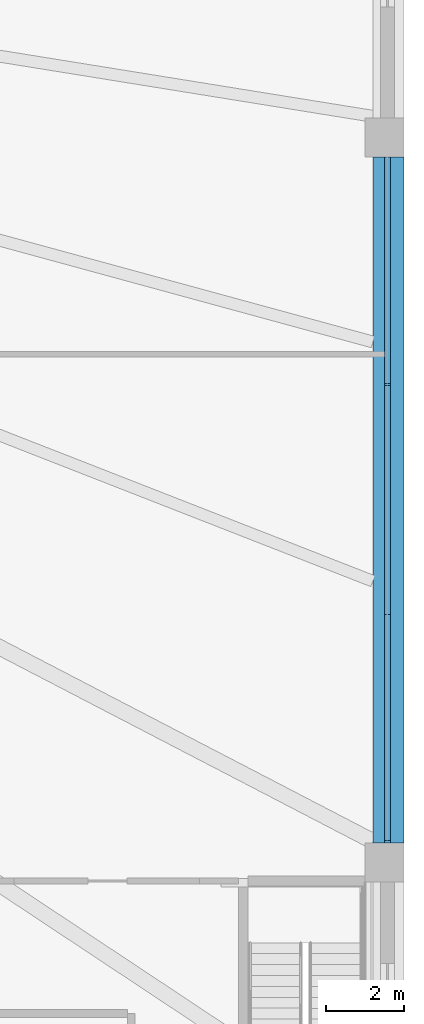
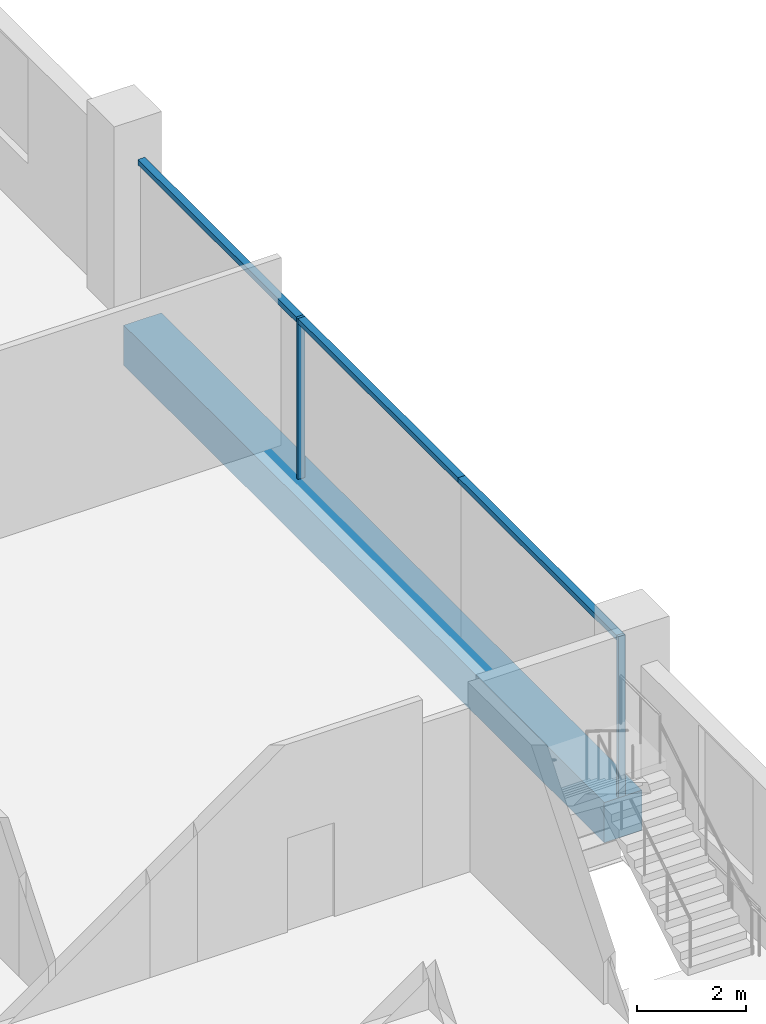
# One storey, part 8 of 29: 5 members, 1 beam, 1 element without a shape of its own.
"""IFC4 building model written with IfcOpenShell, lengths in metres."""

import ifcopenshell
import ifcopenshell.guid

model = None  # the IFC model being written
_history = None  # IfcOwnerHistory: only IFC2X3 demands one
_inside = {}  # id of a spatial element -> (the spatial element, [elements in it])
_under = {}  # id of a project, library or spatial element -> (it, [spatial elements below it])
_declared = {}  # id of a project -> (the project, [libraries it declares])
_typed = {}  # id of a type object -> (the type object, [elements of that type])
_made_of = {}  # id of a material, layer set ... -> (it, [elements and type objects made of it])


def new_model(schema):
    """Start an empty IFC model of exactly this schema.

    Asked for "IFC4X3", IfcOpenShell would pick the latest addendum, in which some entities
    have other attributes; the version numbers below select the first issue.
    IFC2X3 requires an IfcOwnerHistory on every rooted entity: one is made here for all.
    """
    global model, _history
    if schema == "IFC4X3":
        model = ifcopenshell.file(schema_version=(4, 3, 0, 0))
    else:
        model = ifcopenshell.file(schema=schema)
    _inside.clear()
    _under.clear()
    _declared.clear()
    _typed.clear()
    _made_of.clear()
    _history = None
    if model.schema == "IFC2X3":
        org = make("IfcOrganization", Name="unknown")
        user = make(
            "IfcPersonAndOrganization",
            ThePerson=make("IfcPerson", FamilyName="unknown"),
            TheOrganization=org,
        )
        app = make(
            "IfcApplication",
            ApplicationDeveloper=org,
            Version="unknown",
            ApplicationFullName="unknown",
            ApplicationIdentifier="unknown",
        )
        _history = make(
            "IfcOwnerHistory",
            OwningUser=user,
            OwningApplication=app,
            ChangeAction="ADDED",
            CreationDate=0,
        )
    return model


def make(cls, **values):
    """One entity of the class cls with the attributes given. An attribute that is None is left unset."""
    return model.create_entity(
        cls, **{name: value for name, value in values.items() if value is not None}
    )


def rooted(cls, **values):
    """An entity with a GlobalId (a new one), such as an element, a storey or a relation."""
    return make(cls, GlobalId=ifcopenshell.guid.new(), OwnerHistory=_history, **values)


def si_unit(unit_type, name, prefix=None):
    """IfcSIUnit, for example si_unit("LENGTHUNIT", "METRE", prefix="MILLI")."""
    return make("IfcSIUnit", UnitType=unit_type, Prefix=prefix, Name=name)


def assignment(units):
    """IfcUnitAssignment: the units of a project."""
    return None if units is None else make("IfcUnitAssignment", Units=units)


def point(xyz):
    """IfcCartesianPoint."""
    return None if xyz is None else make("IfcCartesianPoint", Coordinates=xyz)


def direction(xyz):
    """IfcDirection."""
    return None if xyz is None else make("IfcDirection", DirectionRatios=xyz)


def frame(location, z_axis=None, x_axis=None):
    """IfcAxis2Placement3D, a coordinate frame: its origin and axes. An axis left out is left unset."""
    return make(
        "IfcAxis2Placement3D",
        Location=point(location),
        Axis=direction(z_axis),
        RefDirection=direction(x_axis),
    )


def frame_2d(location, x_axis=None):
    """IfcAxis2Placement2D, a coordinate frame in the plane: its origin and x axis."""
    return make(
        "IfcAxis2Placement2D", Location=point(location), RefDirection=direction(x_axis)
    )


def origin():
    """The frame at (0, 0, 0) with its axes left unset."""
    return frame((0.0, 0.0, 0.0))


def origin_2d():
    """The frame at (0, 0) in the plane with its x axis left unset."""
    return frame_2d((0.0, 0.0))


def place(relative_to, where):
    """IfcLocalPlacement: puts the frame where relative to a parent placement (None: the world)."""
    return make(
        "IfcLocalPlacement", PlacementRelTo=relative_to, RelativePlacement=where
    )


def context(
    kind, dimensions, precision=None, world=None, true_north=None, identifier=None
):
    """IfcGeometricRepresentationContext, for example the 3D "Model" context."""
    return make(
        "IfcGeometricRepresentationContext",
        ContextIdentifier=identifier,
        ContextType=kind,
        CoordinateSpaceDimension=dimensions,
        Precision=precision,
        WorldCoordinateSystem=world,
        TrueNorth=true_north,
    )


def subcontext(parent, identifier, kind, view, scale=None):
    """IfcGeometricRepresentationSubContext, for example "Body" below "Model"."""
    return make(
        "IfcGeometricRepresentationSubContext",
        ContextIdentifier=identifier,
        ContextType=kind,
        ParentContext=parent,
        TargetScale=scale,
        TargetView=view,
    )


def project(units=None, contexts=None):
    """IfcProject with its units and contexts."""
    return rooted(
        "IfcProject",
        Name="project",
        RepresentationContexts=contexts,
        UnitsInContext=assignment(units),
    )


def spatial(cls, under=None, at=None, **own):
    """A site, building, storey or space (cls), placed at a placement, below another one or the project."""
    s = rooted(cls, ObjectPlacement=at, **own)
    if under is not None:
        _under.setdefault(under.id(), (under, []))[1].append(s)
    return s


def profile(cls, at=None, kind="AREA", **sizes):
    """A parametric profile (cls). Its sizes go by their IFC names, for example OverallWidth=200.0."""
    return make(cls, ProfileType=kind, Position=at, **sizes)


def rectangle(**sizes):
    """IfcRectangleProfileDef."""
    return profile("IfcRectangleProfileDef", **sizes)


def extrude(swept, where, along, depth):
    """IfcExtrudedAreaSolid: the profile swept, set in the frame where, extruded along a direction by depth."""
    return make(
        "IfcExtrudedAreaSolid",
        SweptArea=swept,
        Position=where,
        ExtrudedDirection=direction(along),
        Depth=depth,
    )


def shape(context_of_items, identifier, shape_type, items):
    """IfcShapeRepresentation: the items that make up one representation, for example the "Body"."""
    return make(
        "IfcShapeRepresentation",
        ContextOfItems=context_of_items,
        RepresentationIdentifier=identifier,
        RepresentationType=shape_type,
        Items=items,
    )


def material(Name=None, Category=None):
    """IfcMaterial."""
    return make("IfcMaterial", Name=Name, Category=Category)


def layer(
    of_material, thickness, ventilated=None, Name=None, Category=None, Priority=None
):
    """IfcMaterialLayer: one layer of a wall or slab, of a material (None: an air gap)."""
    return make(
        "IfcMaterialLayer",
        Material=of_material,
        LayerThickness=thickness,
        IsVentilated=ventilated,
        Name=Name,
        Category=Category,
        Priority=Priority,
    )


def layer_set(layers, Name=None):
    """IfcMaterialLayerSet."""
    return make("IfcMaterialLayerSet", MaterialLayers=layers, LayerSetName=Name)


def material_profile(
    of_material, cross_section, Name=None, Category=None, Priority=None
):
    """IfcMaterialProfile: a cross section and its material."""
    return make(
        "IfcMaterialProfile",
        Name=Name,
        Material=of_material,
        Profile=cross_section,
        Priority=Priority,
        Category=Category,
    )


def profile_set(profiles, Name=None, composite=None):
    """IfcMaterialProfileSet."""
    return make(
        "IfcMaterialProfileSet",
        Name=Name,
        MaterialProfiles=profiles,
        CompositeProfile=composite,
    )


def made_of(thing, what):
    """Note that an element or type object is made of a material, layer set ...; save() writes the relation."""
    if what is not None:
        _made_of.setdefault(what.id(), (what, []))[1].append(thing)
    return thing


def type_object(cls, material=None, **own):
    """A type object (cls), such as IfcWallType, which elements share."""
    return made_of(rooted(cls, **own), material)


def element(
    cls,
    number,
    at=None,
    inside=None,
    cuts=None,
    type_object=None,
    material=None,
    context=None,
    identifier="Body",
    shape_type=None,
    held_by="IfcProductDefinitionShape",
    body=None,
    shapes=None,
    **own,
):
    """One element of the class cls, such as IfcWall. Its Tag is "e" and its number.

    at: its placement. inside: the storey or other place that contains it. cuts: it is an
    opening in that element (IfcRelVoidsElement). A single representation is given by context,
    identifier, shape_type and body (its items); several are given by shapes. held_by: the class
    of the entity that holds the representations. save() writes the other relations.
    """
    e = rooted(cls, Tag="e%d" % number, ObjectPlacement=at, **own)
    if body is not None:
        shapes = [shape(context, identifier, shape_type, body)]
    if shapes is not None:
        e.Representation = make(held_by, Representations=shapes)
    if inside is not None:
        _inside.setdefault(inside.id(), (inside, []))[1].append(e)
    if cuts is not None:
        rooted(
            "IfcRelVoidsElement", RelatingBuildingElement=cuts, RelatedOpeningElement=e
        )
    if type_object is not None:
        _typed.setdefault(type_object.id(), (type_object, []))[1].append(e)
    return made_of(e, material)


def aggregate(whole, parts):
    """IfcRelAggregates: a whole, such as a stair, and the parts it consists of."""
    return rooted("IfcRelAggregates", RelatingObject=whole, RelatedObjects=parts)


def save(model, path):
    """Write the relations noted so far, then the file.

    IfcRelAggregates (storeys below a building ...), IfcRelContainedInSpatialStructure (elements
    in a storey), IfcRelDefinesByType, IfcRelAssociatesMaterial and IfcRelDeclares: one each for
    every whole, place, type object, material and project.
    """
    for whole, parts in _under.values():
        aggregate(whole, parts)
    for where, things in _inside.values():
        rooted(
            "IfcRelContainedInSpatialStructure",
            RelatedElements=things,
            RelatingStructure=where,
        )
    for kind, things in _typed.values():
        rooted("IfcRelDefinesByType", RelatedObjects=things, RelatingType=kind)
    for what, things in _made_of.values():
        rooted("IfcRelAssociatesMaterial", RelatedObjects=things, RelatingMaterial=what)
    for by, libraries in _declared.values():
        rooted("IfcRelDeclares", RelatingContext=by, RelatedDefinitions=libraries)
    model.write(path)


model = new_model("IFC4")

# Units and contexts
model_context = context("Model", 3, precision=1e-05, world=origin(), true_north=direction((0.0, 1.0)))
body_context = subcontext(model_context, "Body", "Model", "MODEL_VIEW")
ifc_project = project(units=[si_unit("LENGTHUNIT", "METRE"), si_unit("AREAUNIT", "SQUARE_METRE"), si_unit("VOLUMEUNIT", "CUBIC_METRE"), si_unit("PLANEANGLEUNIT", "RADIAN"), si_unit("MASSUNIT", "GRAM", prefix="KILO")], contexts=[model_context])

# Site, building, storey
site_placement = place(None, origin())
site = spatial("IfcSite", under=ifc_project, at=site_placement, CompositionType="ELEMENT")
building_placement = place(site_placement, origin())
building = spatial("IfcBuilding", under=site, at=building_placement, Name="Isthmus Gate Tower", CompositionType="ELEMENT")
storey_placement = place(building_placement, frame((0.0, 0.0, 27.0)))
storey = spatial("IfcBuildingStorey", under=building, at=storey_placement, Name="L04", CompositionType="ELEMENT", Elevation=27.0)

# Curtain wall, members
ifc_material_1 = material(Name="Aluminium, pale champagne anodised", Category="aluminium")
ifc_layer = layer(ifc_material_1, 0.14990234375)
ifc_layer_set = layer_set([ifc_layer], Name="CW-3 STOREFRONT CURTAIN WALL 150 DEEP")
curtain_wall_type = type_object("IfcCurtainWallType", Name="CW-3 STOREFRONT CURTAIN WALL 150 DEEP", PredefinedType="NOTDEFINED", material=ifc_layer_set)
curtain_wall_placement = place(storey_placement, origin())
curtain_wall = element("IfcCurtainWall", 1, at=curtain_wall_placement, inside=storey, type_object=curtain_wall_type, Name="CW-3 E L04", PredefinedType="NOTDEFINED")
ifc_material_2 = material(Name="Aluminium, pale champagne anodised", Category="aluminium")
ifc_material_profile_1 = material_profile(ifc_material_2, rectangle(XDim=0.06005859375, YDim=0.14990234375, at=origin_2d()), Name="60x150")
ifc_profile_set_1 = profile_set([ifc_material_profile_1], Name="Aluminium, pale champagne anodised")
member_type_1 = type_object("IfcMemberType", Name="CW-3 MULLION 60 X 150", PredefinedType="MULLION", material=ifc_profile_set_1)
member_1_placement = place(storey_placement, frame((51.574951171875, -26.77001953125, -0.300048828125), z_axis=(0.0, 0.0, 1.0), x_axis=(0.0, 1.0, 0.0)))
member_1 = element("IfcMember", 2, at=member_1_placement, type_object=member_type_1, Name="CW-3 mullion", PredefinedType="MULLION", context=body_context, shape_type="SweptSolid", body=[
    extrude(rectangle(XDim=0.06005859375, YDim=0.14990234375, at=origin_2d()), origin(), (0.0, 0.0, 1.0), 3.60009765625),
])
member_2_placement = place(storey_placement, frame((51.574951171875, -15.03662109375, -0.300048828125), z_axis=(0.0, 0.0, 1.0), x_axis=(0.0, 1.0, 0.0)))
member_2 = element("IfcMember", 3, at=member_2_placement, type_object=member_type_1, Name="CW-3 mullion", PredefinedType="MULLION", context=body_context, shape_type="SweptSolid", body=[
    extrude(rectangle(XDim=0.06005859375, YDim=0.14990234375, at=origin_2d()), origin(), (0.0, 0.0, 1.0), 3.60009765625),
])
ifc_material_3 = material(Name="Aluminium, pale champagne anodised", Category="aluminium")
ifc_material_profile_2 = material_profile(ifc_material_3, rectangle(XDim=0.14990234375, YDim=0.1201171875, at=origin_2d()), Name="150x120")
ifc_profile_set_2 = profile_set([ifc_material_profile_2], Name="Aluminium, pale champagne anodised")
member_type_2 = type_object("IfcMemberType", Name="CW-3 TRANSOM 150 X 120", PredefinedType="USERDEFINED", material=ifc_profile_set_2)
member_3_placement = place(storey_placement, frame((51.574951171875, -26.739990234375, 3.239990234375), z_axis=(0.0, 1.0, 0.0), x_axis=(-1.0, 0.0, 0.0)))
member_3 = element("IfcMember", 4, at=member_3_placement, type_object=member_type_2, Name="CW-3 transom", ObjectType="TRANSOM", PredefinedType="USERDEFINED", context=body_context, shape_type="SweptSolid", body=[
    extrude(rectangle(XDim=0.14990234375, YDim=0.1201171875, at=origin_2d()), origin(), (0.0, 0.0, 1.0), 5.806640625),
])
member_4_placement = place(storey_placement, frame((51.574951171875, -20.933349609375, 3.239990234375), z_axis=(0.0, 1.0, 0.0), x_axis=(-1.0, 0.0, 0.0)))
member_4 = element("IfcMember", 5, at=member_4_placement, type_object=member_type_2, Name="CW-3 transom", ObjectType="TRANSOM", PredefinedType="USERDEFINED", context=body_context, shape_type="SweptSolid", body=[
    extrude(rectangle(XDim=0.14990234375, YDim=0.1201171875, at=origin_2d()), origin(), (0.0, 0.0, 1.0), 5.86669921875),
])
member_5_placement = place(storey_placement, frame((51.574951171875, -15.006591796875, 3.239990234375), z_axis=(0.0, 1.0, 0.0), x_axis=(-1.0, 0.0, 0.0)))
member_5 = element("IfcMember", 6, at=member_5_placement, type_object=member_type_2, Name="CW-3 transom", ObjectType="TRANSOM", PredefinedType="USERDEFINED", context=body_context, shape_type="SweptSolid", body=[
    extrude(rectangle(XDim=0.14990234375, YDim=0.1201171875, at=origin_2d()), origin(), (0.0, 0.0, 1.0), 5.806640625),
])
aggregate(curtain_wall, [member_1, member_3, member_4, member_2, member_5])

# Beam
ifc_material_4 = material(Name="Concrete f'c 70 MPa", Category="concrete")
ifc_material_profile_3 = material_profile(ifc_material_4, rectangle(XDim=0.800048828125, YDim=0.89990234375, at=origin_2d()), Name="RC 800X900")
ifc_profile_set_3 = profile_set([ifc_material_profile_3], Name="Concrete f'c 70 MPa")
beam_type = type_object("IfcBeamType", Name="RC EDGE BEAM 800 X 900", PredefinedType="BEAM", material=ifc_profile_set_3)
beam_placement = place(storey_placement, frame((51.60009765625, -9.199951171875, -0.75), z_axis=(0.0, -1.0, 0.0), x_axis=(1.0, 0.0, 0.0)))
element("IfcBeam", 7, at=beam_placement, inside=storey, type_object=beam_type, Name="str-edgebeam-L04-25", PredefinedType="BEAM", context=body_context, shape_type="SweptSolid", body=[
    extrude(rectangle(XDim=0.800048828125, YDim=0.89990234375, at=origin_2d()), origin(), (0.0, 0.0, 1.0), 17.60009765625),
])

save(model, "model.ifc")
